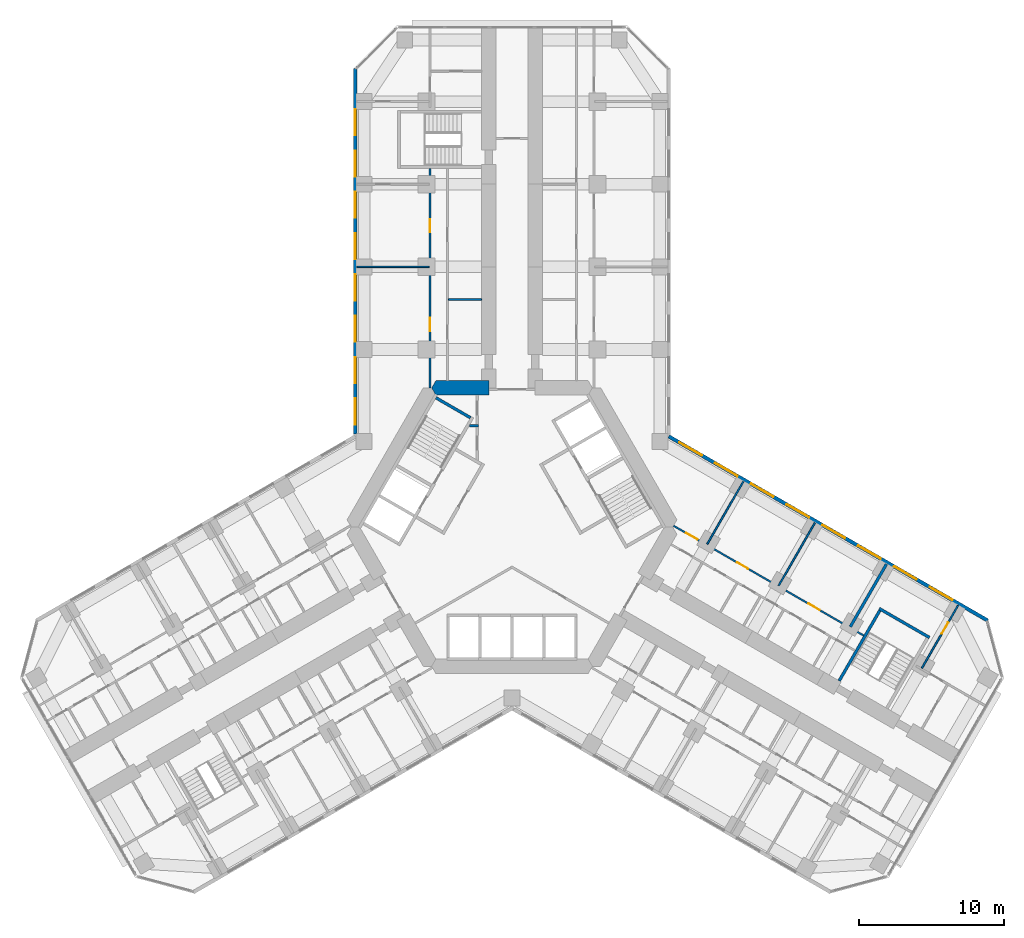
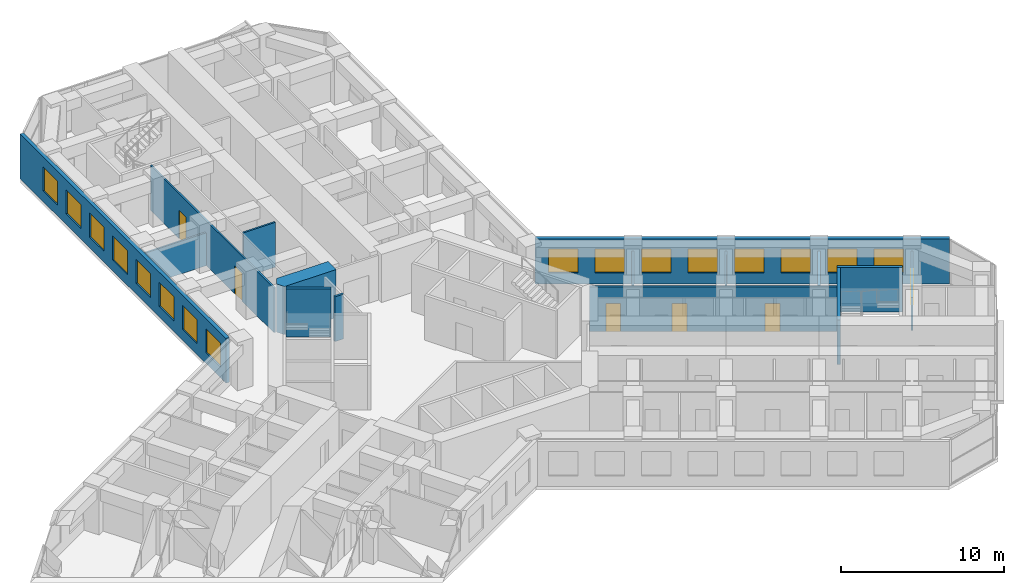
# One storey, part 14 of 18: 16 windows, 15 walls, 6 doors, 22 openings.
"""IFC4 building model written with IfcOpenShell, lengths in metres."""

from ifc_helpers import new_model, si_unit, direction, frame, frame_2d, origin, place, context, subcontext, project, spatial, polyline, rectangle, outline, extrude, material, layer, layer_set, type_object, element, fill, save


model = new_model("IFC4")

# Units and contexts
model_context = context("Model", 3, precision=1e-05, world=origin(), true_north=direction((0.0, 1.0)))
body_context = subcontext(model_context, "Body", "Model", "MODEL_VIEW")
ifc_project = project(units=[si_unit("LENGTHUNIT", "METRE"), si_unit("AREAUNIT", "SQUARE_METRE"), si_unit("VOLUMEUNIT", "CUBIC_METRE"), si_unit("PLANEANGLEUNIT", "RADIAN"), si_unit("MASSUNIT", "GRAM", prefix="KILO")], contexts=[model_context])

# Site, building, storey
site_placement = place(None, origin())
site = spatial("IfcSite", under=ifc_project, at=site_placement, CompositionType="ELEMENT")
building_placement = place(site_placement, origin())
building = spatial("IfcBuilding", under=site, at=building_placement, Name="Kosmar Iwan School Tower", CompositionType="ELEMENT")
storey_placement = place(building_placement, frame((0.0, 0.0, 25.199951171875)))
storey = spatial("IfcBuildingStorey", under=building, at=storey_placement, Name="L05", CompositionType="ELEMENT", Elevation=25.199951171875)

# Walls
ifc_material_1 = material(Name="Gypsum board on steel studs, fire-rated", Category="steel")
ifc_layer_1 = layer(ifc_material_1, 0.14990234375)
ifc_layer_set_1 = layer_set([ifc_layer_1], Name="Core room partition 150")
wall_type_1 = type_object("IfcWallType", Name="Core room partition 150", PredefinedType="PARTITIONING", material=ifc_layer_set_1)
wall_1_placement = place(storey_placement, frame((-2.324951171875, 6.985107421875, 0.0), z_axis=(0.0, 0.0, 1.0), x_axis=(-1.0, 0.0, 0.0)))
element("IfcWall", 1, at=wall_1_placement, inside=storey, type_object=wall_type_1, Name="Core room partition L05-CW2", PredefinedType="PARTITIONING", context=body_context, shape_type="SweptSolid", body=[
    extrude(rectangle(XDim=0.623779296875, YDim=0.14990234375, at=frame_2d((0.31201171875, 0.0))), origin(), (0.0, 0.0, 1.0), 3.35009765625),
])
ifc_material_2 = material(Name="Concrete C50/60", Category="concrete")
ifc_layer_2 = layer(ifc_material_2, 1.0)
ifc_layer_set_2 = layer_set([ifc_layer_2], Name="Core wall 1000")
wall_type_2 = type_object("IfcWallType", Name="Core wall 1000", PredefinedType="SHEAR", material=ifc_layer_set_2)
wall_2_placement = place(storey_placement, origin())
element("IfcWall", 2, at=wall_2_placement, inside=storey, type_object=wall_type_2, Name="Core wall F090b", PredefinedType="SHEAR", context=body_context, shape_type="SweptSolid", body=[
    extrude(outline(polyline([(-5.25390625, 9.10009765625), (-1.60009765625, 9.10009765625), (-1.60009765625, 10.10009765625), (-5.25390625, 10.10009765625), (-5.54248046875, 9.60009765625), (-5.25390625, 9.10009765625)])), origin(), (0.0, 0.0, 1.0), 3.60009765625),
])

# Wall, openings, doors
ifc_material_3 = material(Name="Gypsum board on steel studs", Category="steel")
ifc_layer_3 = layer(ifc_material_3, 0.1201171875)
ifc_layer_set_3 = layer_set([ifc_layer_3], Name="Dwelling partition 120")
wall_type_3 = type_object("IfcWallType", Name="Dwelling partition 120", PredefinedType="PARTITIONING", material=ifc_layer_set_3)
wall_3_placement = place(storey_placement, frame((-5.64990234375, 9.60009765625, 0.0), z_axis=(0.0, 0.0, 1.0), x_axis=(0.0, 1.0, 0.0)))
wall_3 = element("IfcWall", 3, at=wall_3_placement, inside=storey, type_object=wall_type_3, Name="Partition L05-AL1-W2", PredefinedType="PARTITIONING", context=body_context, shape_type="SweptSolid", body=[
    extrude(rectangle(XDim=15.14990234375, YDim=0.1201171875, at=frame_2d((7.574951171875, 0.0))), origin(), (0.0, 0.0, 1.0), 3.35009765625),
])
opening_1_placement = place(wall_3_placement, frame((3.925048828125, 0.0, 0.0)))
opening_1 = element("IfcOpeningElement", 4, at=opening_1_placement, cuts=wall_3, Name="Opening D2", PredefinedType="OPENING", context=body_context, shape_type="SweptSolid", body=[
    extrude(rectangle(XDim=0.89990234375, YDim=2.10009765625, at=frame_2d((0.449951171875, 1.050048828125))), frame((0.0, 0.072021484375, 0.0), z_axis=(0.0, -1.0, 0.0), x_axis=(1.0, 0.0, 0.0)), (0.0, 0.0, 1.0), 0.14404296875),
])
opening_2_placement = place(wall_3_placement, frame((10.75, 0.0, 0.0)))
opening_2 = element("IfcOpeningElement", 5, at=opening_2_placement, cuts=wall_3, Name="Opening D2", PredefinedType="OPENING", context=body_context, shape_type="SweptSolid", body=[
    extrude(rectangle(XDim=0.89990234375, YDim=2.10009765625, at=frame_2d((0.449951171875, 1.050048828125))), frame((0.0, 0.072021484375, 0.0), z_axis=(0.0, -1.0, 0.0), x_axis=(1.0, 0.0, 0.0)), (0.0, 0.0, 1.0), 0.14404296875),
])
ifc_material_4 = material(Name="Timber door in timber frame", Category="wood")
door_type = type_object("IfcDoorType", Name="Internal door 900x2100", OperationType="SINGLE_SWING_LEFT", PredefinedType="DOOR", material=ifc_material_4)
door_1_placement = place(opening_1_placement, origin())
door_1 = element("IfcDoor", 6, at=door_1_placement, inside=storey, type_object=door_type, Name="Residents' lounge door L05-AL1-F1", OperationType="SINGLE_SWING_LEFT", OverallHeight=2.10009765625, OverallWidth=0.89990234375, PredefinedType="DOOR", context=body_context, shape_type="SweptSolid", body=[
    extrude(rectangle(XDim=0.89990234375, YDim=2.10009765625, at=frame_2d((0.449951171875, 1.050048828125))), frame((0.0, 0.02490234375, 0.0), z_axis=(0.0, -1.0, 0.0), x_axis=(1.0, 0.0, 0.0)), (0.0, 0.0, 1.0), 0.050048828125),
])
fill(opening_1, door_1)
door_2_placement = place(opening_2_placement, origin())
door_2 = element("IfcDoor", 7, at=door_2_placement, inside=storey, type_object=door_type, Name="Children's play room door L05-AL1-F2", OperationType="SINGLE_SWING_RIGHT", OverallHeight=2.10009765625, OverallWidth=0.89990234375, PredefinedType="DOOR", context=body_context, shape_type="SweptSolid", body=[
    extrude(rectangle(XDim=0.89990234375, YDim=2.10009765625, at=frame_2d((0.449951171875, 1.050048828125))), frame((0.0, 0.02490234375, 0.0), z_axis=(0.0, -1.0, 0.0), x_axis=(1.0, 0.0, 0.0)), (0.0, 0.0, 1.0), 0.050048828125),
])
fill(opening_2, door_2)

# Walls
wall_4_placement = place(storey_placement, frame((-5.7099609375, 17.949951171875, 0.0), z_axis=(0.0, 0.0, 1.0), x_axis=(-1.0, 0.0, 0.0)))
element("IfcWall", 8, at=wall_4_placement, inside=storey, type_object=wall_type_3, Name="Partition L05-AL1-X1", PredefinedType="PARTITIONING", context=body_context, shape_type="SweptSolid", body=[
    extrude(rectangle(XDim=4.989990234375, YDim=0.1201171875, at=frame_2d((2.4951171875, 0.0))), origin(), (0.0, 0.0, 1.0), 2.449951171875),
])
wall_5_placement = place(storey_placement, frame((-2.10009765625, 15.699951171875, 0.0), z_axis=(0.0, 0.0, 1.0), x_axis=(-1.0, 0.0, 0.0)))
element("IfcWall", 9, at=wall_5_placement, inside=storey, type_object=wall_type_3, Name="Partition L05-AL1-Y1", PredefinedType="PARTITIONING", context=body_context, shape_type="SweptSolid", body=[
    extrude(rectangle(XDim=2.289794921875, YDim=0.1201171875, at=frame_2d((1.14501953125, 0.0))), origin(), (0.0, 0.0, 1.0), 3.35009765625),
])

# Wall, openings, doors
wall_6_placement = place(storey_placement, frame((11.138916015625, 0.093017578125, 0.0), z_axis=(0.0, 0.0, 1.0), x_axis=(0.866024032363, -0.500002375365, 0.0)))
wall_6 = element("IfcWall", 10, at=wall_6_placement, inside=storey, type_object=wall_type_3, Name="Partition L05-CL1-W2", PredefinedType="PARTITIONING", context=body_context, shape_type="SweptSolid", body=[
    extrude(rectangle(XDim=15.14990234375, YDim=0.1201171875, at=frame_2d((7.574951171875, 0.0))), origin(), (0.0, 0.0, 1.0), 3.35009765625),
])
opening_3_placement = place(wall_6_placement, frame((1.0, 0.0, 0.0)))
opening_3 = element("IfcOpeningElement", 11, at=opening_3_placement, cuts=wall_6, Name="Opening D2", PredefinedType="OPENING", context=body_context, shape_type="SweptSolid", body=[
    extrude(rectangle(XDim=0.89990234375, YDim=2.10009765625, at=frame_2d((0.449951171875, 1.050048828125))), frame((0.0, 0.072021484375, 0.0), z_axis=(0.0, -1.0, 0.0), x_axis=(1.0, 0.0, 0.0)), (0.0, 0.0, 1.0), 0.14404296875),
])
opening_4_placement = place(wall_6_placement, frame((5.050048828125, 0.0, 0.0)))
opening_4 = element("IfcOpeningElement", 12, at=opening_4_placement, cuts=wall_6, Name="Opening D2", PredefinedType="OPENING", context=body_context, shape_type="SweptSolid", body=[
    extrude(rectangle(XDim=0.89990234375, YDim=2.10009765625, at=frame_2d((0.449951171875, 1.050048828125))), frame((0.0, 0.072021484375, 0.0), z_axis=(0.0, -1.0, 0.0), x_axis=(1.0, 0.0, 0.0)), (0.0, 0.0, 1.0), 0.14404296875),
])
opening_5_placement = place(wall_6_placement, frame((10.75, 0.0, 0.0)))
opening_5 = element("IfcOpeningElement", 13, at=opening_5_placement, cuts=wall_6, Name="Opening D2", PredefinedType="OPENING", context=body_context, shape_type="SweptSolid", body=[
    extrude(rectangle(XDim=0.89990234375, YDim=2.10009765625, at=frame_2d((0.449951171875, 1.050048828125))), frame((0.0, 0.072021484375, 0.0), z_axis=(0.0, -1.0, 0.0), x_axis=(1.0, 0.0, 0.0)), (0.0, 0.0, 1.0), 0.14404296875),
])
door_3_placement = place(opening_3_placement, origin())
door_3 = element("IfcDoor", 14, at=door_3_placement, inside=storey, type_object=door_type, Name="Bedroom 1 door L05-CL1-F1", OperationType="SINGLE_SWING_LEFT", OverallHeight=2.10009765625, OverallWidth=0.89990234375, PredefinedType="DOOR", context=body_context, shape_type="SweptSolid", body=[
    extrude(rectangle(XDim=0.89990234375, YDim=2.10009765625, at=frame_2d((0.449951171875, 1.050048828125))), frame((0.0, 0.02490234375, 0.0), z_axis=(0.0, -1.0, 0.0), x_axis=(1.0, 0.0, 0.0)), (0.0, 0.0, 1.0), 0.050048828125),
])
fill(opening_3, door_3)
door_4_placement = place(opening_4_placement, origin())
door_4 = element("IfcDoor", 15, at=door_4_placement, inside=storey, type_object=door_type, Name="Study door L05-CL1-F2", OperationType="SINGLE_SWING_LEFT", OverallHeight=2.10009765625, OverallWidth=0.89990234375, PredefinedType="DOOR", context=body_context, shape_type="SweptSolid", body=[
    extrude(rectangle(XDim=0.89990234375, YDim=2.10009765625, at=frame_2d((0.449951171875, 1.050048828125))), frame((0.0, 0.02490234375, 0.0), z_axis=(0.0, -1.0, 0.0), x_axis=(1.0, 0.0, 0.0)), (0.0, 0.0, 1.0), 0.050048828125),
])
fill(opening_4, door_4)
door_5_placement = place(opening_5_placement, origin())
door_5 = element("IfcDoor", 16, at=door_5_placement, inside=storey, type_object=door_type, Name="Living room and kitchen door L05-CL1-F3", OperationType="SINGLE_SWING_RIGHT", OverallHeight=2.10009765625, OverallWidth=0.89990234375, PredefinedType="DOOR", context=body_context, shape_type="SweptSolid", body=[
    extrude(rectangle(XDim=0.89990234375, YDim=2.10009765625, at=frame_2d((0.449951171875, 1.050048828125))), frame((0.0, 0.02490234375, 0.0), z_axis=(0.0, -1.0, 0.0), x_axis=(1.0, 0.0, 0.0)), (0.0, 0.0, 1.0), 0.050048828125),
])
fill(opening_5, door_5)

# Walls
wall_7_placement = place(storey_placement, frame((13.4638671875, -1.179931640625, 0.0), z_axis=(0.0, 0.0, 1.0), x_axis=(0.499996339024, 0.86602751744, 0.0)))
element("IfcWall", 17, at=wall_7_placement, inside=storey, type_object=wall_type_3, Name="Partition L05-CL1-X1", PredefinedType="PARTITIONING", context=body_context, shape_type="SweptSolid", body=[
    extrude(rectangle(XDim=4.98974609375, YDim=0.1201171875, at=frame_2d((2.494873046875, 0.0))), origin(), (0.0, 0.0, 1.0), 2.449951171875),
])
wall_8_placement = place(storey_placement, frame((18.400146484375, -4.030029296875, 0.0), z_axis=(0.0, 0.0, 1.0), x_axis=(0.500011847778, 0.866018563358, 0.0)))
element("IfcWall", 18, at=wall_8_placement, inside=storey, type_object=wall_type_3, Name="Partition L05-CL1-X2", PredefinedType="PARTITIONING", context=body_context, shape_type="SweptSolid", body=[
    extrude(rectangle(XDim=4.990234375, YDim=0.1201171875, at=frame_2d((2.4951171875, 0.0))), origin(), (0.0, 0.0, 1.0), 2.449951171875),
])

# Wall, opening, door
wall_9_placement = place(storey_placement, frame((28.27294921875, -9.72998046875, 0.0), z_axis=(0.0, 0.0, 1.0), x_axis=(0.499975153383, 0.86603974851, 0.0)))
wall_9 = element("IfcWall", 19, at=wall_9_placement, inside=storey, type_object=wall_type_3, Name="Partition L05-CL2-TX", PredefinedType="PARTITIONING", context=body_context, shape_type="SweptSolid", body=[
    extrude(rectangle(XDim=4.989990234375, YDim=0.1201171875, at=frame_2d((2.4951171875, 0.0))), origin(), (0.0, 0.0, 1.0), 2.449951171875),
])
opening_6_placement = place(wall_9_placement, frame((2.739990234375, 0.0, 0.0)))
opening_6 = element("IfcOpeningElement", 20, at=opening_6_placement, cuts=wall_9, Name="Opening D2", PredefinedType="OPENING", context=body_context, shape_type="SweptSolid", body=[
    extrude(rectangle(XDim=0.89990234375, YDim=2.10009765625, at=frame_2d((0.449951171875, 1.050048828125))), frame((0.0, 0.072021484375, 0.0), z_axis=(0.0, -1.0, 0.0), x_axis=(1.0, 0.0, 0.0)), (0.0, 0.0, 1.0), 0.14404296875),
])
door_6_placement = place(opening_6_placement, origin())
door_6 = element("IfcDoor", 21, at=door_6_placement, inside=storey, type_object=door_type, Name="Bedroom 1 door L05-CL2-T1", OperationType="SINGLE_SWING_RIGHT", OverallHeight=2.10009765625, OverallWidth=0.89990234375, PredefinedType="DOOR", context=body_context, shape_type="SweptSolid", body=[
    extrude(rectangle(XDim=0.89990234375, YDim=2.10009765625, at=frame_2d((0.449951171875, 1.050048828125))), frame((0.0, 0.02490234375, 0.0), z_axis=(0.0, -1.0, 0.0), x_axis=(1.0, 0.0, 0.0)), (0.0, 0.0, 1.0), 0.050048828125),
])
fill(opening_6, door_6)

# Walls
ifc_material_5 = material(Name="Concrete C35/45", Category="concrete")
ifc_layer_4 = layer(ifc_material_5, 0.199951171875)
ifc_layer_set_4 = layer_set([ifc_layer_4], Name="Escape stair wall 200")
wall_type_4 = type_object("IfcWallType", Name="Escape stair wall 200", PredefinedType="SHEAR", material=ifc_layer_set_4)
wall_10_placement = place(storey_placement, frame((22.57080078125, -10.6064453125, 0.0), z_axis=(0.0, 0.0, 1.0), x_axis=(0.499987231761, 0.866032775405, 0.0)))
element("IfcWall", 22, at=wall_10_placement, inside=storey, type_object=wall_type_4, Name="Stair WS3 wall", PredefinedType="SHEAR", context=body_context, shape_type="SweptSolid", body=[
    extrude(rectangle(XDim=5.800048828125, YDim=0.199951171875, at=frame_2d((2.89990234375, 0.0))), origin(), (0.0, 0.0, 1.0), 3.330078125),
])
wall_11_placement = place(storey_placement, frame((25.334228515625, -5.6201171875, 0.0), z_axis=(0.0, 0.0, 1.0), x_axis=(0.866026010844, -0.49999894854, 0.0)))
element("IfcWall", 23, at=wall_11_placement, inside=storey, type_object=wall_type_4, Name="Stair WS3 wall", PredefinedType="SHEAR", context=body_context, shape_type="SweptSolid", body=[
    extrude(rectangle(XDim=4.0, YDim=0.199951171875, at=frame_2d((2.0, 0.0))), origin(), (0.0, 0.0, 1.0), 3.330078125),
])

# Wall, openings, windows
ifc_material_6 = material(Name="Black aluminium rainscreen on insulated framing", Category="aluminium")
ifc_layer_5 = layer(ifc_material_6, 0.25)
ifc_layer_set_5 = layer_set([ifc_layer_5], Name="External wall rainscreen 250")
wall_type_5 = type_object("IfcWallType", Name="External wall rainscreen 250", PredefinedType="SOLIDWALL", material=ifc_layer_set_5)
wall_12_placement = place(storey_placement, frame((10.8125, 6.257080078125, 0.0), z_axis=(0.0, 0.0, 1.0), x_axis=(0.86602648281, -0.499998131069, 0.0)))
wall_12 = element("IfcWall", 24, at=wall_12_placement, inside=storey, type_object=wall_type_5, Name="External wall CL L05", PredefinedType="SOLIDWALL", context=body_context, shape_type="SweptSolid", body=[
    extrude(rectangle(XDim=25.39990234375, YDim=0.25, at=frame_2d((12.699951171875, 0.0))), origin(), (0.0, 0.0, 1.0), 3.35009765625),
])
opening_7_placement = place(wall_12_placement, frame((0.839599609375, 0.0, 0.800048828125)))
opening_7 = element("IfcOpeningElement", 25, at=opening_7_placement, cuts=wall_12, Name="Opening W1", PredefinedType="OPENING", context=body_context, shape_type="SweptSolid", body=[
    extrude(rectangle(XDim=1.800048828125, YDim=1.800048828125, at=frame_2d((0.89990234375, 0.89990234375))), frame((0.0, 0.136962890625, 0.0), z_axis=(0.0, -1.0, 0.0), x_axis=(1.0, 0.0, 0.0)), (0.0, 0.0, 1.0), 0.27392578125),
])
opening_8_placement = place(wall_12_placement, frame((3.689697265625, 0.0, 0.800048828125)))
opening_8 = element("IfcOpeningElement", 26, at=opening_8_placement, cuts=wall_12, Name="Opening W1", PredefinedType="OPENING", context=body_context, shape_type="SweptSolid", body=[
    extrude(rectangle(XDim=1.800048828125, YDim=1.800048828125, at=frame_2d((0.89990234375, 0.89990234375))), frame((0.0, 0.136962890625, 0.0), z_axis=(0.0, -1.0, 0.0), x_axis=(1.0, 0.0, 0.0)), (0.0, 0.0, 1.0), 0.27392578125),
])
opening_9_placement = place(wall_12_placement, frame((6.53955078125, 0.0, 0.800048828125)))
opening_9 = element("IfcOpeningElement", 27, at=opening_9_placement, cuts=wall_12, Name="Opening W1", PredefinedType="OPENING", context=body_context, shape_type="SweptSolid", body=[
    extrude(rectangle(XDim=1.800048828125, YDim=1.800048828125, at=frame_2d((0.89990234375, 0.89990234375))), frame((0.0, 0.136962890625, 0.0), z_axis=(0.0, -1.0, 0.0), x_axis=(1.0, 0.0, 0.0)), (0.0, 0.0, 1.0), 0.27392578125),
])
opening_10_placement = place(wall_12_placement, frame((9.3896484375, 0.0, 0.800048828125)))
opening_10 = element("IfcOpeningElement", 28, at=opening_10_placement, cuts=wall_12, Name="Opening W1", PredefinedType="OPENING", context=body_context, shape_type="SweptSolid", body=[
    extrude(rectangle(XDim=1.800048828125, YDim=1.800048828125, at=frame_2d((0.89990234375, 0.89990234375))), frame((0.0, 0.136962890625, 0.0), z_axis=(0.0, -1.0, 0.0), x_axis=(1.0, 0.0, 0.0)), (0.0, 0.0, 1.0), 0.27392578125),
])
opening_11_placement = place(wall_12_placement, frame((12.23974609375, 0.0, 0.800048828125)))
opening_11 = element("IfcOpeningElement", 29, at=opening_11_placement, cuts=wall_12, Name="Opening W1", PredefinedType="OPENING", context=body_context, shape_type="SweptSolid", body=[
    extrude(rectangle(XDim=1.800048828125, YDim=1.800048828125, at=frame_2d((0.89990234375, 0.89990234375))), frame((0.0, 0.136962890625, 0.0), z_axis=(0.0, -1.0, 0.0), x_axis=(1.0, 0.0, 0.0)), (0.0, 0.0, 1.0), 0.27392578125),
])
opening_12_placement = place(wall_12_placement, frame((15.089599609375, 0.0, 0.800048828125)))
opening_12 = element("IfcOpeningElement", 30, at=opening_12_placement, cuts=wall_12, Name="Opening W1", PredefinedType="OPENING", context=body_context, shape_type="SweptSolid", body=[
    extrude(rectangle(XDim=1.800048828125, YDim=1.800048828125, at=frame_2d((0.89990234375, 0.89990234375))), frame((0.0, 0.136962890625, 0.0), z_axis=(0.0, -1.0, 0.0), x_axis=(1.0, 0.0, 0.0)), (0.0, 0.0, 1.0), 0.27392578125),
])
opening_13_placement = place(wall_12_placement, frame((17.939697265625, 0.0, 0.800048828125)))
opening_13 = element("IfcOpeningElement", 31, at=opening_13_placement, cuts=wall_12, Name="Opening W1", PredefinedType="OPENING", context=body_context, shape_type="SweptSolid", body=[
    extrude(rectangle(XDim=1.800048828125, YDim=1.800048828125, at=frame_2d((0.89990234375, 0.89990234375))), frame((0.0, 0.136962890625, 0.0), z_axis=(0.0, -1.0, 0.0), x_axis=(1.0, 0.0, 0.0)), (0.0, 0.0, 1.0), 0.27392578125),
])
opening_14_placement = place(wall_12_placement, frame((20.78955078125, 0.0, 0.800048828125)))
opening_14 = element("IfcOpeningElement", 32, at=opening_14_placement, cuts=wall_12, Name="Opening W1", PredefinedType="OPENING", context=body_context, shape_type="SweptSolid", body=[
    extrude(rectangle(XDim=1.800048828125, YDim=1.800048828125, at=frame_2d((0.89990234375, 0.89990234375))), frame((0.0, 0.136962890625, 0.0), z_axis=(0.0, -1.0, 0.0), x_axis=(1.0, 0.0, 0.0)), (0.0, 0.0, 1.0), 0.27392578125),
])
ifc_material_7 = material(Name="Black aluminium frame with dark triple glazing", Category="aluminium")
window_type = type_object("IfcWindowType", Name="Window 1800x1800", PartitioningType="SINGLE_PANEL", PredefinedType="WINDOW", material=ifc_material_7)
window_1_placement = place(opening_7_placement, origin())
window_1 = element("IfcWindow", 33, at=window_1_placement, inside=storey, type_object=window_type, Name="Window CL L05 -1", OverallHeight=1.800048828125, OverallWidth=1.800048828125, PartitioningType="SINGLE_PANEL", PredefinedType="WINDOW", context=body_context, shape_type="SweptSolid", body=[
    extrude(rectangle(XDim=1.800048828125, YDim=1.800048828125, at=frame_2d((0.89990234375, 0.89990234375))), frame((0.0, 0.030029296875, 0.0), z_axis=(0.0, -1.0, 0.0), x_axis=(1.0, 0.0, 0.0)), (0.0, 0.0, 1.0), 0.06005859375),
])
fill(opening_7, window_1)
window_2_placement = place(opening_8_placement, origin())
window_2 = element("IfcWindow", 34, at=window_2_placement, inside=storey, type_object=window_type, Name="Window CL L05 0", OverallHeight=1.800048828125, OverallWidth=1.800048828125, PartitioningType="SINGLE_PANEL", PredefinedType="WINDOW", context=body_context, shape_type="SweptSolid", body=[
    extrude(rectangle(XDim=1.800048828125, YDim=1.800048828125, at=frame_2d((0.89990234375, 0.89990234375))), frame((0.0, 0.030029296875, 0.0), z_axis=(0.0, -1.0, 0.0), x_axis=(1.0, 0.0, 0.0)), (0.0, 0.0, 1.0), 0.06005859375),
])
fill(opening_8, window_2)
window_3_placement = place(opening_9_placement, origin())
window_3 = element("IfcWindow", 35, at=window_3_placement, inside=storey, type_object=window_type, Name="Window CL L05 1", OverallHeight=1.800048828125, OverallWidth=1.800048828125, PartitioningType="SINGLE_PANEL", PredefinedType="WINDOW", context=body_context, shape_type="SweptSolid", body=[
    extrude(rectangle(XDim=1.800048828125, YDim=1.800048828125, at=frame_2d((0.89990234375, 0.89990234375))), frame((0.0, 0.030029296875, 0.0), z_axis=(0.0, -1.0, 0.0), x_axis=(1.0, 0.0, 0.0)), (0.0, 0.0, 1.0), 0.06005859375),
])
fill(opening_9, window_3)
window_4_placement = place(opening_10_placement, origin())
window_4 = element("IfcWindow", 36, at=window_4_placement, inside=storey, type_object=window_type, Name="Window CL L05 2", OverallHeight=1.800048828125, OverallWidth=1.800048828125, PartitioningType="SINGLE_PANEL", PredefinedType="WINDOW", context=body_context, shape_type="SweptSolid", body=[
    extrude(rectangle(XDim=1.800048828125, YDim=1.800048828125, at=frame_2d((0.89990234375, 0.89990234375))), frame((0.0, 0.030029296875, 0.0), z_axis=(0.0, -1.0, 0.0), x_axis=(1.0, 0.0, 0.0)), (0.0, 0.0, 1.0), 0.06005859375),
])
fill(opening_10, window_4)
window_5_placement = place(opening_11_placement, origin())
window_5 = element("IfcWindow", 37, at=window_5_placement, inside=storey, type_object=window_type, Name="Window CL L05 3", OverallHeight=1.800048828125, OverallWidth=1.800048828125, PartitioningType="SINGLE_PANEL", PredefinedType="WINDOW", context=body_context, shape_type="SweptSolid", body=[
    extrude(rectangle(XDim=1.800048828125, YDim=1.800048828125, at=frame_2d((0.89990234375, 0.89990234375))), frame((0.0, 0.030029296875, 0.0), z_axis=(0.0, -1.0, 0.0), x_axis=(1.0, 0.0, 0.0)), (0.0, 0.0, 1.0), 0.06005859375),
])
fill(opening_11, window_5)
window_6_placement = place(opening_12_placement, origin())
window_6 = element("IfcWindow", 38, at=window_6_placement, inside=storey, type_object=window_type, Name="Window CL L05 4", OverallHeight=1.800048828125, OverallWidth=1.800048828125, PartitioningType="SINGLE_PANEL", PredefinedType="WINDOW", context=body_context, shape_type="SweptSolid", body=[
    extrude(rectangle(XDim=1.800048828125, YDim=1.800048828125, at=frame_2d((0.89990234375, 0.89990234375))), frame((0.0, 0.030029296875, 0.0), z_axis=(0.0, -1.0, 0.0), x_axis=(1.0, 0.0, 0.0)), (0.0, 0.0, 1.0), 0.06005859375),
])
fill(opening_12, window_6)
window_7_placement = place(opening_13_placement, origin())
window_7 = element("IfcWindow", 39, at=window_7_placement, inside=storey, type_object=window_type, Name="Window CL L05 5", OverallHeight=1.800048828125, OverallWidth=1.800048828125, PartitioningType="SINGLE_PANEL", PredefinedType="WINDOW", context=body_context, shape_type="SweptSolid", body=[
    extrude(rectangle(XDim=1.800048828125, YDim=1.800048828125, at=frame_2d((0.89990234375, 0.89990234375))), frame((0.0, 0.030029296875, 0.0), z_axis=(0.0, -1.0, 0.0), x_axis=(1.0, 0.0, 0.0)), (0.0, 0.0, 1.0), 0.06005859375),
])
fill(opening_13, window_7)
window_8_placement = place(opening_14_placement, origin())
window_8 = element("IfcWindow", 40, at=window_8_placement, inside=storey, type_object=window_type, Name="Window CL L05 6", OverallHeight=1.800048828125, OverallWidth=1.800048828125, PartitioningType="SINGLE_PANEL", PredefinedType="WINDOW", context=body_context, shape_type="SweptSolid", body=[
    extrude(rectangle(XDim=1.800048828125, YDim=1.800048828125, at=frame_2d((0.89990234375, 0.89990234375))), frame((0.0, 0.030029296875, 0.0), z_axis=(0.0, -1.0, 0.0), x_axis=(1.0, 0.0, 0.0)), (0.0, 0.0, 1.0), 0.06005859375),
])
fill(opening_14, window_8)

wall_13_placement = place(storey_placement, frame((-10.824951171875, 6.408935546875, 0.0), z_axis=(0.0, 0.0, 1.0), x_axis=(0.0, 1.0, 0.0)))
wall_13 = element("IfcWall", 41, at=wall_13_placement, inside=storey, type_object=wall_type_5, Name="External wall AL L05", PredefinedType="SOLIDWALL", context=body_context, shape_type="SweptSolid", body=[
    extrude(rectangle(XDim=25.226318359375, YDim=0.25, at=frame_2d((12.61328125, 0.0))), origin(), (0.0, 0.0, 1.0), 3.35009765625),
])
opening_15_placement = place(wall_13_placement, frame((0.666015625, 0.0, 0.800048828125)))
opening_15 = element("IfcOpeningElement", 42, at=opening_15_placement, cuts=wall_13, Name="Opening W1", PredefinedType="OPENING", context=body_context, shape_type="SweptSolid", body=[
    extrude(rectangle(XDim=1.800048828125, YDim=1.800048828125, at=frame_2d((0.89990234375, 0.89990234375))), frame((0.0, 0.136962890625, 0.0), z_axis=(0.0, -1.0, 0.0), x_axis=(1.0, 0.0, 0.0)), (0.0, 0.0, 1.0), 0.27392578125),
])
opening_16_placement = place(wall_13_placement, frame((3.51611328125, 0.0, 0.800048828125)))
opening_16 = element("IfcOpeningElement", 43, at=opening_16_placement, cuts=wall_13, Name="Opening W1", PredefinedType="OPENING", context=body_context, shape_type="SweptSolid", body=[
    extrude(rectangle(XDim=1.800048828125, YDim=1.800048828125, at=frame_2d((0.89990234375, 0.89990234375))), frame((0.0, 0.136962890625, 0.0), z_axis=(0.0, -1.0, 0.0), x_axis=(1.0, 0.0, 0.0)), (0.0, 0.0, 1.0), 0.27392578125),
])
opening_17_placement = place(wall_13_placement, frame((6.365966796875, 0.0, 0.800048828125)))
opening_17 = element("IfcOpeningElement", 44, at=opening_17_placement, cuts=wall_13, Name="Opening W1", PredefinedType="OPENING", context=body_context, shape_type="SweptSolid", body=[
    extrude(rectangle(XDim=1.800048828125, YDim=1.800048828125, at=frame_2d((0.89990234375, 0.89990234375))), frame((0.0, 0.136962890625, 0.0), z_axis=(0.0, -1.0, 0.0), x_axis=(1.0, 0.0, 0.0)), (0.0, 0.0, 1.0), 0.27392578125),
])
opening_18_placement = place(wall_13_placement, frame((9.216064453125, 0.0, 0.800048828125)))
opening_18 = element("IfcOpeningElement", 45, at=opening_18_placement, cuts=wall_13, Name="Opening W1", PredefinedType="OPENING", context=body_context, shape_type="SweptSolid", body=[
    extrude(rectangle(XDim=1.800048828125, YDim=1.800048828125, at=frame_2d((0.89990234375, 0.89990234375))), frame((0.0, 0.136962890625, 0.0), z_axis=(0.0, -1.0, 0.0), x_axis=(1.0, 0.0, 0.0)), (0.0, 0.0, 1.0), 0.27392578125),
])
opening_19_placement = place(wall_13_placement, frame((12.06591796875, 0.0, 0.800048828125)))
opening_19 = element("IfcOpeningElement", 46, at=opening_19_placement, cuts=wall_13, Name="Opening W1", PredefinedType="OPENING", context=body_context, shape_type="SweptSolid", body=[
    extrude(rectangle(XDim=1.800048828125, YDim=1.800048828125, at=frame_2d((0.89990234375, 0.89990234375))), frame((0.0, 0.136962890625, 0.0), z_axis=(0.0, -1.0, 0.0), x_axis=(1.0, 0.0, 0.0)), (0.0, 0.0, 1.0), 0.27392578125),
])
opening_20_placement = place(wall_13_placement, frame((14.916015625, 0.0, 0.800048828125)))
opening_20 = element("IfcOpeningElement", 47, at=opening_20_placement, cuts=wall_13, Name="Opening W1", PredefinedType="OPENING", context=body_context, shape_type="SweptSolid", body=[
    extrude(rectangle(XDim=1.800048828125, YDim=1.800048828125, at=frame_2d((0.89990234375, 0.89990234375))), frame((0.0, 0.136962890625, 0.0), z_axis=(0.0, -1.0, 0.0), x_axis=(1.0, 0.0, 0.0)), (0.0, 0.0, 1.0), 0.27392578125),
])
opening_21_placement = place(wall_13_placement, frame((17.76611328125, 0.0, 0.800048828125)))
opening_21 = element("IfcOpeningElement", 48, at=opening_21_placement, cuts=wall_13, Name="Opening W1", PredefinedType="OPENING", context=body_context, shape_type="SweptSolid", body=[
    extrude(rectangle(XDim=1.800048828125, YDim=1.800048828125, at=frame_2d((0.89990234375, 0.89990234375))), frame((0.0, 0.136962890625, 0.0), z_axis=(0.0, -1.0, 0.0), x_axis=(1.0, 0.0, 0.0)), (0.0, 0.0, 1.0), 0.27392578125),
])
opening_22_placement = place(wall_13_placement, frame((20.615966796875, 0.0, 0.800048828125)))
opening_22 = element("IfcOpeningElement", 49, at=opening_22_placement, cuts=wall_13, Name="Opening W1", PredefinedType="OPENING", context=body_context, shape_type="SweptSolid", body=[
    extrude(rectangle(XDim=1.800048828125, YDim=1.800048828125, at=frame_2d((0.89990234375, 0.89990234375))), frame((0.0, 0.136962890625, 0.0), z_axis=(0.0, -1.0, 0.0), x_axis=(1.0, 0.0, 0.0)), (0.0, 0.0, 1.0), 0.27392578125),
])
window_9_placement = place(opening_15_placement, origin())
window_9 = element("IfcWindow", 50, at=window_9_placement, inside=storey, type_object=window_type, Name="Window AL L05 -1", OverallHeight=1.800048828125, OverallWidth=1.800048828125, PartitioningType="SINGLE_PANEL", PredefinedType="WINDOW", context=body_context, shape_type="SweptSolid", body=[
    extrude(rectangle(XDim=1.800048828125, YDim=1.800048828125, at=frame_2d((0.89990234375, 0.89990234375))), frame((0.0, 0.030029296875, 0.0), z_axis=(0.0, -1.0, 0.0), x_axis=(1.0, 0.0, 0.0)), (0.0, 0.0, 1.0), 0.06005859375),
])
fill(opening_15, window_9)
window_10_placement = place(opening_16_placement, origin())
window_10 = element("IfcWindow", 51, at=window_10_placement, inside=storey, type_object=window_type, Name="Window AL L05 0", OverallHeight=1.800048828125, OverallWidth=1.800048828125, PartitioningType="SINGLE_PANEL", PredefinedType="WINDOW", context=body_context, shape_type="SweptSolid", body=[
    extrude(rectangle(XDim=1.800048828125, YDim=1.800048828125, at=frame_2d((0.89990234375, 0.89990234375))), frame((0.0, 0.030029296875, 0.0), z_axis=(0.0, -1.0, 0.0), x_axis=(1.0, 0.0, 0.0)), (0.0, 0.0, 1.0), 0.06005859375),
])
fill(opening_16, window_10)
window_11_placement = place(opening_17_placement, origin())
window_11 = element("IfcWindow", 52, at=window_11_placement, inside=storey, type_object=window_type, Name="Window AL L05 1", OverallHeight=1.800048828125, OverallWidth=1.800048828125, PartitioningType="SINGLE_PANEL", PredefinedType="WINDOW", context=body_context, shape_type="SweptSolid", body=[
    extrude(rectangle(XDim=1.800048828125, YDim=1.800048828125, at=frame_2d((0.89990234375, 0.89990234375))), frame((0.0, 0.030029296875, 0.0), z_axis=(0.0, -1.0, 0.0), x_axis=(1.0, 0.0, 0.0)), (0.0, 0.0, 1.0), 0.06005859375),
])
fill(opening_17, window_11)
window_12_placement = place(opening_18_placement, origin())
window_12 = element("IfcWindow", 53, at=window_12_placement, inside=storey, type_object=window_type, Name="Window AL L05 2", OverallHeight=1.800048828125, OverallWidth=1.800048828125, PartitioningType="SINGLE_PANEL", PredefinedType="WINDOW", context=body_context, shape_type="SweptSolid", body=[
    extrude(rectangle(XDim=1.800048828125, YDim=1.800048828125, at=frame_2d((0.89990234375, 0.89990234375))), frame((0.0, 0.030029296875, 0.0), z_axis=(0.0, -1.0, 0.0), x_axis=(1.0, 0.0, 0.0)), (0.0, 0.0, 1.0), 0.06005859375),
])
fill(opening_18, window_12)
window_13_placement = place(opening_19_placement, origin())
window_13 = element("IfcWindow", 54, at=window_13_placement, inside=storey, type_object=window_type, Name="Window AL L05 3", OverallHeight=1.800048828125, OverallWidth=1.800048828125, PartitioningType="SINGLE_PANEL", PredefinedType="WINDOW", context=body_context, shape_type="SweptSolid", body=[
    extrude(rectangle(XDim=1.800048828125, YDim=1.800048828125, at=frame_2d((0.89990234375, 0.89990234375))), frame((0.0, 0.030029296875, 0.0), z_axis=(0.0, -1.0, 0.0), x_axis=(1.0, 0.0, 0.0)), (0.0, 0.0, 1.0), 0.06005859375),
])
fill(opening_19, window_13)
window_14_placement = place(opening_20_placement, origin())
window_14 = element("IfcWindow", 55, at=window_14_placement, inside=storey, type_object=window_type, Name="Window AL L05 4", OverallHeight=1.800048828125, OverallWidth=1.800048828125, PartitioningType="SINGLE_PANEL", PredefinedType="WINDOW", context=body_context, shape_type="SweptSolid", body=[
    extrude(rectangle(XDim=1.800048828125, YDim=1.800048828125, at=frame_2d((0.89990234375, 0.89990234375))), frame((0.0, 0.030029296875, 0.0), z_axis=(0.0, -1.0, 0.0), x_axis=(1.0, 0.0, 0.0)), (0.0, 0.0, 1.0), 0.06005859375),
])
fill(opening_20, window_14)
window_15_placement = place(opening_21_placement, origin())
window_15 = element("IfcWindow", 56, at=window_15_placement, inside=storey, type_object=window_type, Name="Window AL L05 5", OverallHeight=1.800048828125, OverallWidth=1.800048828125, PartitioningType="SINGLE_PANEL", PredefinedType="WINDOW", context=body_context, shape_type="SweptSolid", body=[
    extrude(rectangle(XDim=1.800048828125, YDim=1.800048828125, at=frame_2d((0.89990234375, 0.89990234375))), frame((0.0, 0.030029296875, 0.0), z_axis=(0.0, -1.0, 0.0), x_axis=(1.0, 0.0, 0.0)), (0.0, 0.0, 1.0), 0.06005859375),
])
fill(opening_21, window_15)
window_16_placement = place(opening_22_placement, origin())
window_16 = element("IfcWindow", 57, at=window_16_placement, inside=storey, type_object=window_type, Name="Window AL L05 6", OverallHeight=1.800048828125, OverallWidth=1.800048828125, PartitioningType="SINGLE_PANEL", PredefinedType="WINDOW", context=body_context, shape_type="SweptSolid", body=[
    extrude(rectangle(XDim=1.800048828125, YDim=1.800048828125, at=frame_2d((0.89990234375, 0.89990234375))), frame((0.0, 0.030029296875, 0.0), z_axis=(0.0, -1.0, 0.0), x_axis=(1.0, 0.0, 0.0)), (0.0, 0.0, 1.0), 0.06005859375),
])
fill(opening_22, window_16)

# Walls
ifc_material_8 = material(Name="Concrete block masonry", Category="masonry")
ifc_layer_6 = layer(ifc_material_8, 0.199951171875)
ifc_layer_set_6 = layer_set([ifc_layer_6], Name="Party wall 200")
wall_type_6 = type_object("IfcWallType", Name="Party wall 200", PredefinedType="PARTITIONING", material=ifc_layer_set_6)
wall_14_placement = place(storey_placement, frame((23.33642578125, -6.8798828125, 0.0), z_axis=(0.0, 0.0, 1.0), x_axis=(0.500033033937, 0.866006330792, 0.0)))
element("IfcWall", 58, at=wall_14_placement, inside=storey, type_object=wall_type_6, Name="Partition L05-CL2-TB", PredefinedType="PARTITIONING", context=body_context, shape_type="SweptSolid", body=[
    extrude(rectangle(XDim=4.989990234375, YDim=0.199951171875, at=frame_2d((2.4951171875, 0.0))), origin(), (0.0, 0.0, 1.0), 2.449951171875),
])
ifc_material_9 = material(Name="Concrete C50/60", Category="concrete")
ifc_layer_7 = layer(ifc_material_9, 0.199951171875)
ifc_layer_set_7 = layer_set([ifc_layer_7], Name="Stair enclosure wall 200")
wall_type_7 = type_object("IfcWallType", Name="Stair enclosure wall 200", PredefinedType="SHEAR", material=ifc_layer_set_7)
wall_15_placement = place(storey_placement, frame((-2.862548828125, 7.541748046875, 0.0), z_axis=(0.0, 0.0, 1.0), x_axis=(-0.866027397988, 0.499996545922, 0.0)))
element("IfcWall", 59, at=wall_15_placement, inside=storey, type_object=wall_type_7, Name="Stair ST2 wall", PredefinedType="SHEAR", context=body_context, shape_type="SweptSolid", body=[
    extrude(rectangle(XDim=2.75, YDim=0.199951171875, at=frame_2d((1.375, 0.0))), origin(), (0.0, 0.0, 1.0), 3.60009765625),
])

save(model, "model.ifc")
